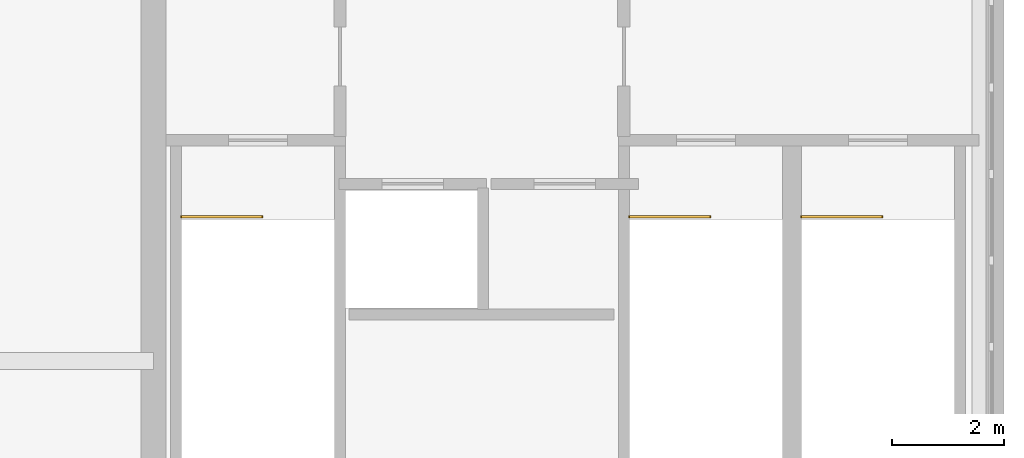
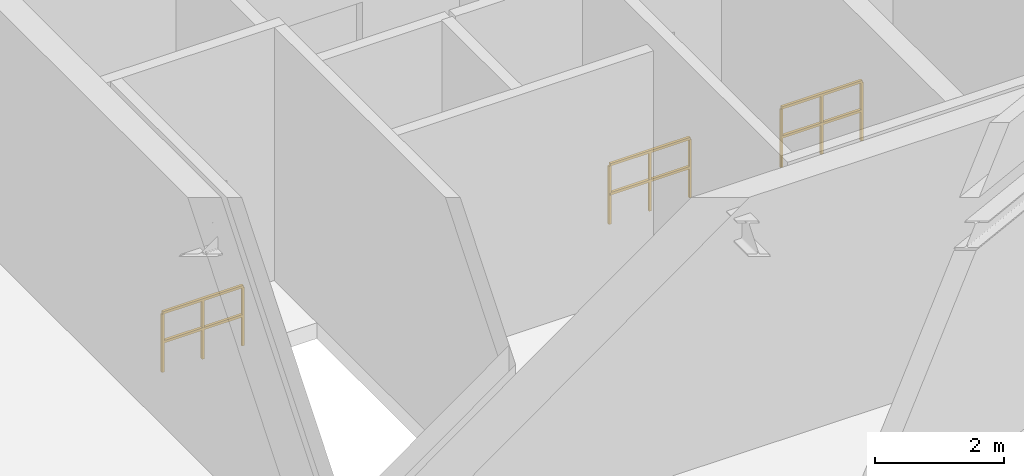
# One storey, part 5 of 5: 3 railings.
"""IFC4 building model written with IfcOpenShell, lengths in metres."""

from ifc_helpers import new_model, si_unit, derived_unit, direction, frame, origin, origin_2d, place, context, subcontext, project, spatial, rectangle, extrude, material, type_object, element, save


model = new_model("IFC4")

# Units and contexts
model_context = context("Model", 3, precision=1e-05, world=origin(), true_north=direction((0.0, 1.0)))
body_context = subcontext(model_context, "Body", "Model", "MODEL_VIEW")
ifc_project = project(units=[si_unit("LENGTHUNIT", "METRE"), si_unit("AREAUNIT", "SQUARE_METRE"), si_unit("VOLUMEUNIT", "CUBIC_METRE"), si_unit("PLANEANGLEUNIT", "RADIAN"), si_unit("MASSUNIT", "GRAM", prefix="KILO"), si_unit("THERMODYNAMICTEMPERATUREUNIT", "KELVIN"), si_unit("POWERUNIT", "WATT"), derived_unit("THERMALTRANSMITTANCEUNIT", [(si_unit("POWERUNIT", "WATT"), 1), (si_unit("AREAUNIT", "SQUARE_METRE"), -1), (si_unit("THERMODYNAMICTEMPERATUREUNIT", "KELVIN"), -1)])], contexts=[model_context])

# Site, building, storey
site_placement = place(None, origin())
site = spatial("IfcSite", under=ifc_project, at=site_placement, CompositionType="ELEMENT")
building_placement = place(site_placement, origin())
building = spatial("IfcBuilding", under=site, at=building_placement, Name="Zahravan Archway Hotel and Residences", CompositionType="ELEMENT")
storey_placement = place(building_placement, frame((0.0, 0.0, 303.89990234375)))
storey = spatial("IfcBuildingStorey", under=building, at=storey_placement, Name="L76", CompositionType="ELEMENT", Elevation=303.89990234375)

# Railings
ifc_material = material(Name="Painted Tubular Steel", Category="steel")
railing_type = type_object("IfcRailingType", Name="RL-STG-1150", PredefinedType="GUARDRAIL", material=ifc_material)
for number, where, name in (
    (1, (35.300048828125, 9.780029296875, 0.0), "L76 ST-A1 top well guard 1"),
    (2, (43.320068359375, 9.780029296875, 0.0), "L76 ST-A2 top well guard 1"),
):
    element("IfcRailing", number, at=place(storey_placement, frame(where)), inside=storey, type_object=railing_type, Name=name, PredefinedType="GUARDRAIL", context=body_context, shape_type="SweptSolid", body=[
        extrude(rectangle(XDim=0.048095703125, YDim=0.048095703125, at=origin_2d()), frame((0.0, 0.0, 1.1259765625), z_axis=(1.0, 0.0, 0.0), x_axis=(0.0, 1.0, 0.0)), (0.0, 0.0, 1.0), 1.43994140625),
        extrude(rectangle(XDim=0.048095703125, YDim=0.048095703125, at=origin_2d()), frame((0.0, 0.0, 0.574951171875), z_axis=(1.0, 0.0, 0.0), x_axis=(0.0, 1.0, 0.0)), (0.0, 0.0, 1.0), 1.43994140625),
        extrude(rectangle(XDim=0.0419921875, YDim=0.0419921875, at=origin_2d()), origin(), (0.0, 0.0, 1.0), 1.101806640625),
        extrude(rectangle(XDim=0.0419921875, YDim=0.0419921875, at=origin_2d()), frame((0.719970703125, 0.0, 0.0)), (0.0, 0.0, 1.0), 1.101806640625),
        extrude(rectangle(XDim=0.0419921875, YDim=0.0419921875, at=origin_2d()), frame((1.43994140625, 0.0, 0.0)), (0.0, 0.0, 1.0), 1.101806640625),
    ])
railing_placement = place(storey_placement, frame((46.39990234375, 9.780029296875, 0.0)))
element("IfcRailing", 3, at=railing_placement, inside=storey, type_object=railing_type, Name="L76 ST-A3 top well guard 1", PredefinedType="GUARDRAIL", context=body_context, shape_type="SweptSolid", body=[
    extrude(rectangle(XDim=0.048095703125, YDim=0.048095703125, at=origin_2d()), frame((0.0, 0.0, 1.1259765625), z_axis=(1.0, 0.0, 0.0), x_axis=(0.0, 1.0, 0.0)), (0.0, 0.0, 1.0), 1.440185546875),
    extrude(rectangle(XDim=0.048095703125, YDim=0.048095703125, at=origin_2d()), frame((0.0, 0.0, 0.574951171875), z_axis=(1.0, 0.0, 0.0), x_axis=(0.0, 1.0, 0.0)), (0.0, 0.0, 1.0), 1.440185546875),
    extrude(rectangle(XDim=0.0419921875, YDim=0.0419921875, at=origin_2d()), origin(), (0.0, 0.0, 1.0), 1.101806640625),
    extrude(rectangle(XDim=0.0419921875, YDim=0.0419921875, at=origin_2d()), frame((0.72021484375, 0.0, 0.0)), (0.0, 0.0, 1.0), 1.101806640625),
    extrude(rectangle(XDim=0.0419921875, YDim=0.0419921875, at=origin_2d()), frame((1.440185546875, 0.0, 0.0)), (0.0, 0.0, 1.0), 1.101806640625),
])

save(model, "model.ifc")
